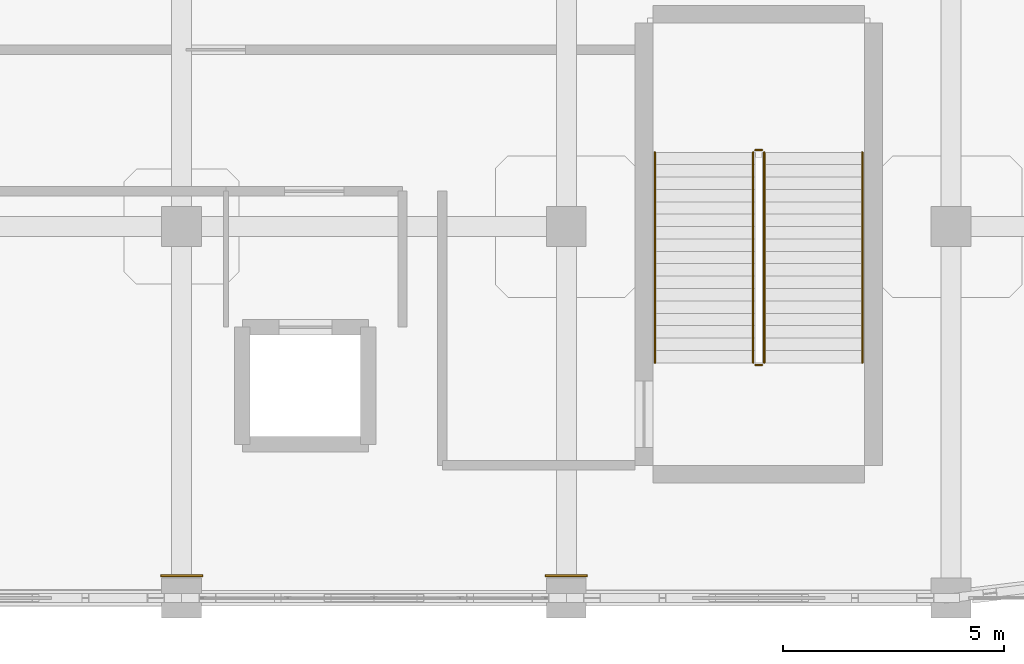
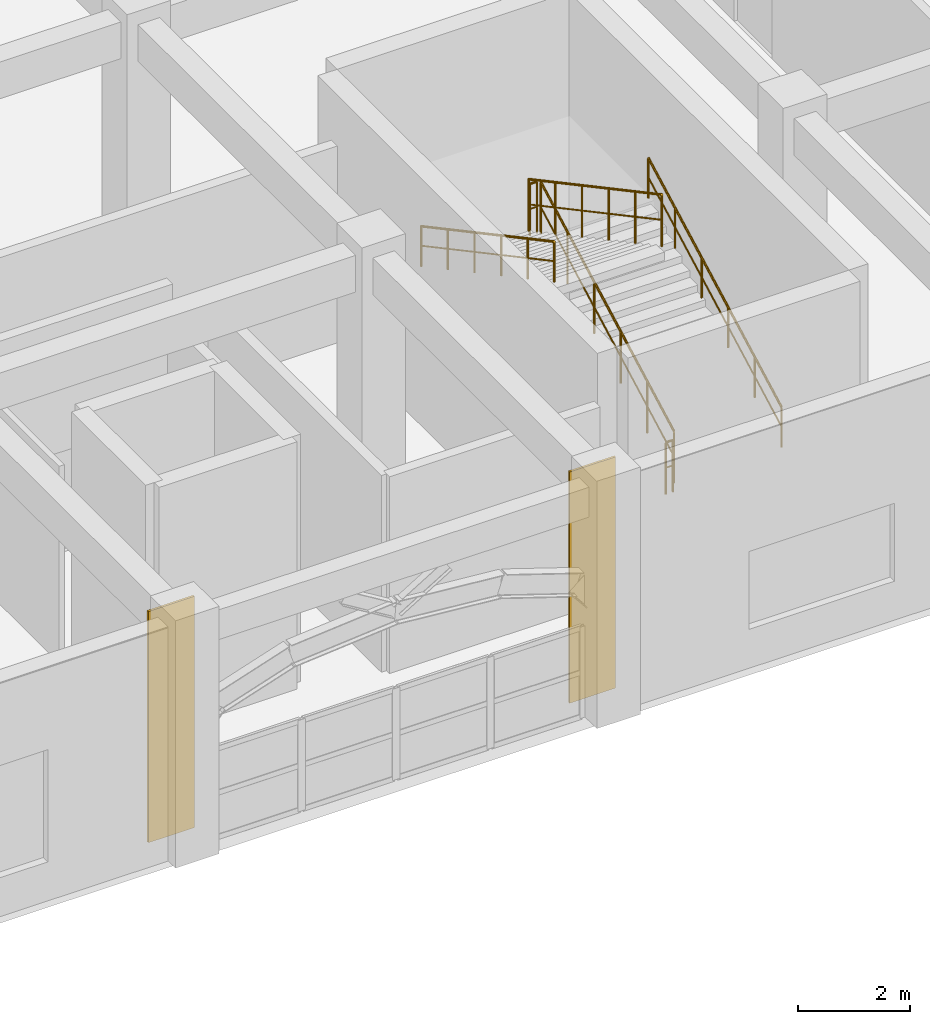
# One storey, part 113 of 114: 6 railings, 2 coverings.
"""IFC4 building model written with IfcOpenShell, lengths in metres."""

from ifc_helpers import new_model, si_unit, derived_unit, direction, frame, origin, origin_2d, place, context, subcontext, project, spatial, rectangle, circle, extrude, material, layer, layer_set, type_object, element, save


model = new_model("IFC4")

# Units and contexts
model_context = context("Model", 3, precision=1e-05, world=origin(), true_north=direction((0.0, 1.0)))
body_context = subcontext(model_context, "Body", "Model", "MODEL_VIEW")
ifc_project = project(units=[si_unit("LENGTHUNIT", "METRE"), si_unit("AREAUNIT", "SQUARE_METRE"), si_unit("VOLUMEUNIT", "CUBIC_METRE"), si_unit("PLANEANGLEUNIT", "RADIAN"), si_unit("MASSUNIT", "GRAM", prefix="KILO"), derived_unit("THERMALTRANSMITTANCEUNIT", [(si_unit("MASSUNIT", "GRAM", prefix="KILO"), 1), (si_unit("TIMEUNIT", "SECOND"), -3), (si_unit("THERMODYNAMICTEMPERATUREUNIT", "KELVIN"), -1)])], contexts=[model_context])

# Site, building, storey
site_placement = place(None, origin())
site = spatial("IfcSite", under=ifc_project, at=site_placement, CompositionType="ELEMENT")
building_placement = place(site_placement, origin())
building = spatial("IfcBuilding", under=site, at=building_placement, Name="Qinzheling Arcade Emporium", CompositionType="ELEMENT")
storey_placement = place(building_placement, frame((0.0, 0.0, 6.0)))
storey = spatial("IfcBuildingStorey", under=building, at=storey_placement, Name="L02", CompositionType="ELEMENT", Elevation=6.0)

# Coverings
ifc_material_1 = material(Name="Glazed cream terracotta rainscreen cladding", Category="masonry")
ifc_layer = layer(ifc_material_1, 0.044921875, Name="Glazed cream terracotta rainscreen cladding", Category="masonry")
ifc_layer_set = layer_set([ifc_layer], Name="Glazed cream terracotta rainscreen cladding")
covering_type = type_object("IfcCoveringType", Name="Glazed Terracotta Pier Cladding Casing 45", PredefinedType="CLADDING", material=ifc_layer_set)
for number, where, z_axis, x_axis, name in (
    (1, (130.5, 0.5, 0.0), (0.0, 0.0, 1.0), (1.0, 0.0, 0.0), "Terracotta Pier Cladding L02 5"),
    (2, (139.199951171875, 0.5, 0.0), (0.0, 0.0, 1.0), (1.0, 0.0, 0.0), "Terracotta Pier Cladding L02 6"),
):
    element("IfcCovering", number, at=place(storey_placement, frame(where, z_axis=z_axis, x_axis=x_axis)), inside=storey, type_object=covering_type, Name=name, PredefinedType="CLADDING", context=body_context, shape_type="SweptSolid", body=[
        extrude(rectangle(XDim=0.949951171875, YDim=0.044921875, at=origin_2d()), origin(), (0.0, 0.0, 1.0), 5.050048828125),
    ])

# Railings
ifc_material_2 = material(Name="Galvanised powder-coated tubular steel", Category="steel")
railing_type_1 = type_object("IfcRailingType", Name="Painted Steel Stairwell Guard Railing 1150", PredefinedType="GUARDRAIL", material=ifc_material_2)
railing_1_placement = place(storey_placement, frame((143.675048828125, 5.320068359375, 0.14990234375)))
element("IfcRailing", 3, at=railing_1_placement, inside=storey, type_object=railing_type_1, Name="L02 ST06 stair guard 1", PredefinedType="GUARDRAIL", context=body_context, shape_type="SweptSolid", body=[
    extrude(circle(Radius=0.02392578125, at=origin_2d()), frame((0.0, 0.0, 1.1259765625), z_axis=(0.0, 0.881476609435, 0.47222768557), x_axis=(-1.0, 0.0, 0.0)), (0.0, 0.0, 1.0), 5.400146484375),
    extrude(circle(Radius=0.01611328125, at=origin_2d()), frame((0.0, 0.0, 0.574951171875), z_axis=(0.0, 0.881476609435, 0.47222768557), x_axis=(-1.0, 0.0, 0.0)), (0.0, 0.0, 1.0), 5.400146484375),
    extrude(circle(Radius=0.02099609375, at=origin_2d()), origin(), (0.0, 0.0, 1.0), 1.101806640625),
    extrude(circle(Radius=0.02099609375, at=origin_2d()), frame((0.0, 0.951904296875, 0.510009765625)), (0.0, 0.0, 1.0), 1.101806640625),
    extrude(circle(Radius=0.02099609375, at=origin_2d()), frame((0.0, 1.904052734375, 1.02001953125)), (0.0, 0.0, 1.0), 1.101806640625),
    extrude(circle(Radius=0.02099609375, at=origin_2d()), frame((0.0, 2.85595703125, 1.530029296875)), (0.0, 0.0, 1.0), 1.101806640625),
    extrude(circle(Radius=0.02099609375, at=origin_2d()), frame((0.0, 3.80810546875, 2.0400390625)), (0.0, 0.0, 1.0), 1.101806640625),
    extrude(circle(Radius=0.02099609375, at=origin_2d()), frame((0.0, 4.760009765625, 2.550048828125)), (0.0, 0.0, 1.0), 1.101806640625),
])
railing_2_placement = place(storey_placement, frame((143.625, 10.1298828125, 2.699951171875)))
element("IfcRailing", 4, at=railing_2_placement, inside=storey, type_object=railing_type_1, Name="L02 ST06 stair guard 2", PredefinedType="GUARDRAIL", context=body_context, shape_type="SweptSolid", body=[
    extrude(circle(Radius=0.02392578125, at=origin_2d()), frame((0.0, 0.0, 1.1259765625), z_axis=(-1.0, 0.0, 0.0), x_axis=(0.0, -1.0, 0.0)), (0.0, 0.0, 1.0), 0.14990234375),
    extrude(circle(Radius=0.01611328125, at=origin_2d()), frame((0.0, 0.0, 0.574951171875), z_axis=(-1.0, 0.0, 0.0), x_axis=(0.0, -1.0, 0.0)), (0.0, 0.0, 1.0), 0.14990234375),
    extrude(circle(Radius=0.02099609375, at=origin_2d()), origin(), (0.0, 0.0, 1.0), 1.101806640625),
    extrude(circle(Radius=0.02099609375, at=origin_2d()), frame((-0.14990234375, 0.0, 0.0)), (0.0, 0.0, 1.0), 1.101806640625),
])
railing_3_placement = place(storey_placement, frame((143.425048828125, 10.080078125, 2.85009765625)))
element("IfcRailing", 5, at=railing_3_placement, inside=storey, type_object=railing_type_1, Name="L02 ST06 stair guard 3", PredefinedType="GUARDRAIL", context=body_context, shape_type="SweptSolid", body=[
    extrude(circle(Radius=0.02392578125, at=origin_2d()), frame((0.0, 0.0, 1.1259765625), z_axis=(0.0, -0.881495428514, 0.472192555542), x_axis=(1.0, 0.0, 0.0)), (0.0, 0.0, 1.0), 5.39990234375),
    extrude(circle(Radius=0.01611328125, at=origin_2d()), frame((0.0, 0.0, 0.574951171875), z_axis=(0.0, -0.881495428514, 0.472192555542), x_axis=(1.0, 0.0, 0.0)), (0.0, 0.0, 1.0), 5.39990234375),
    extrude(circle(Radius=0.02099609375, at=origin_2d()), origin(), (0.0, 0.0, 1.0), 1.101806640625),
    extrude(circle(Radius=0.02099609375, at=origin_2d()), frame((0.0, -0.951904296875, 0.510009765625)), (0.0, 0.0, 1.0), 1.101806640625),
    extrude(circle(Radius=0.02099609375, at=origin_2d()), frame((0.0, -1.904052734375, 1.02001953125)), (0.0, 0.0, 1.0), 1.101806640625),
    extrude(circle(Radius=0.02099609375, at=origin_2d()), frame((0.0, -2.85595703125, 1.52978515625)), (0.0, 0.0, 1.0), 1.101806640625),
    extrude(circle(Radius=0.02099609375, at=origin_2d()), frame((0.0, -3.80810546875, 2.039794921875)), (0.0, 0.0, 1.0), 1.101806640625),
    extrude(circle(Radius=0.02099609375, at=origin_2d()), frame((0.0, -4.760009765625, 2.5498046875)), (0.0, 0.0, 1.0), 1.101806640625),
])
railing_4_placement = place(storey_placement, frame((143.625, 5.27001953125, 0.0)))
element("IfcRailing", 6, at=railing_4_placement, inside=storey, type_object=railing_type_1, Name="L02 ST06 stair guard 4", PredefinedType="GUARDRAIL", context=body_context, shape_type="SweptSolid", body=[
    extrude(circle(Radius=0.02392578125, at=origin_2d()), frame((0.0, 0.0, 1.1259765625), z_axis=(-1.0, 0.0, 0.0), x_axis=(0.0, -1.0, 0.0)), (0.0, 0.0, 1.0), 0.14990234375),
    extrude(circle(Radius=0.01611328125, at=origin_2d()), frame((0.0, 0.0, 0.574951171875), z_axis=(-1.0, 0.0, 0.0), x_axis=(0.0, -1.0, 0.0)), (0.0, 0.0, 1.0), 0.14990234375),
    extrude(circle(Radius=0.02099609375, at=origin_2d()), origin(), (0.0, 0.0, 1.0), 1.101806640625),
    extrude(circle(Radius=0.02099609375, at=origin_2d()), frame((-0.14990234375, 0.0, 0.0)), (0.0, 0.0, 1.0), 1.101806640625),
])
ifc_material_3 = material(Name="Brushed stainless steel 304", Category="steel")
railing_type_2 = type_object("IfcRailingType", Name="Stainless Steel Wall Handrail 900", PredefinedType="HANDRAIL", material=ifc_material_3)
railing_5_placement = place(storey_placement, frame((145.89501953125, 5.320068359375, 0.14990234375)))
element("IfcRailing", 7, at=railing_5_placement, inside=storey, type_object=railing_type_2, Name="L02 ST06 stair handrail 1", PredefinedType="HANDRAIL", context=body_context, shape_type="SweptSolid", body=[
    extrude(circle(Radius=0.02392578125, at=origin_2d()), frame((0.0, 0.0, 0.8759765625), z_axis=(0.0, 0.881476609435, 0.47222768557), x_axis=(-1.0, 0.0, 0.0)), (0.0, 0.0, 1.0), 5.400146484375),
    extrude(circle(Radius=0.01611328125, at=origin_2d()), frame((0.0, 0.0, 0.449951171875), z_axis=(0.0, 0.881476609435, 0.47222768557), x_axis=(-1.0, 0.0, 0.0)), (0.0, 0.0, 1.0), 5.400146484375),
    extrude(circle(Radius=0.02099609375, at=origin_2d()), origin(), (0.0, 0.0, 1.0), 0.851806640625),
    extrude(circle(Radius=0.02099609375, at=origin_2d()), frame((0.0, 0.951904296875, 0.510009765625)), (0.0, 0.0, 1.0), 0.851806640625),
    extrude(circle(Radius=0.02099609375, at=origin_2d()), frame((0.0, 1.904052734375, 1.02001953125)), (0.0, 0.0, 1.0), 0.851806640625),
    extrude(circle(Radius=0.02099609375, at=origin_2d()), frame((0.0, 2.85595703125, 1.530029296875)), (0.0, 0.0, 1.0), 0.851806640625),
    extrude(circle(Radius=0.02099609375, at=origin_2d()), frame((0.0, 3.80810546875, 2.0400390625)), (0.0, 0.0, 1.0), 0.851806640625),
    extrude(circle(Radius=0.02099609375, at=origin_2d()), frame((0.0, 4.760009765625, 2.550048828125)), (0.0, 0.0, 1.0), 0.851806640625),
])
railing_6_placement = place(storey_placement, frame((141.205078125, 10.080078125, 2.85009765625)))
element("IfcRailing", 8, at=railing_6_placement, inside=storey, type_object=railing_type_2, Name="L02 ST06 stair handrail 2", PredefinedType="HANDRAIL", context=body_context, shape_type="SweptSolid", body=[
    extrude(circle(Radius=0.02392578125, at=origin_2d()), frame((0.0, 0.0, 0.8759765625), z_axis=(0.0, -0.881495428514, 0.472192555542), x_axis=(1.0, 0.0, 0.0)), (0.0, 0.0, 1.0), 5.39990234375),
    extrude(circle(Radius=0.01611328125, at=origin_2d()), frame((0.0, 0.0, 0.449951171875), z_axis=(0.0, -0.881495428514, 0.472192555542), x_axis=(1.0, 0.0, 0.0)), (0.0, 0.0, 1.0), 5.39990234375),
    extrude(circle(Radius=0.02099609375, at=origin_2d()), origin(), (0.0, 0.0, 1.0), 0.851806640625),
    extrude(circle(Radius=0.02099609375, at=origin_2d()), frame((0.0, -0.951904296875, 0.510009765625)), (0.0, 0.0, 1.0), 0.851806640625),
    extrude(circle(Radius=0.02099609375, at=origin_2d()), frame((0.0, -1.904052734375, 1.02001953125)), (0.0, 0.0, 1.0), 0.851806640625),
    extrude(circle(Radius=0.02099609375, at=origin_2d()), frame((0.0, -2.85595703125, 1.52978515625)), (0.0, 0.0, 1.0), 0.851806640625),
    extrude(circle(Radius=0.02099609375, at=origin_2d()), frame((0.0, -3.80810546875, 2.039794921875)), (0.0, 0.0, 1.0), 0.851806640625),
    extrude(circle(Radius=0.02099609375, at=origin_2d()), frame((0.0, -4.760009765625, 2.5498046875)), (0.0, 0.0, 1.0), 0.851806640625),
])

save(model, "model.ifc")
